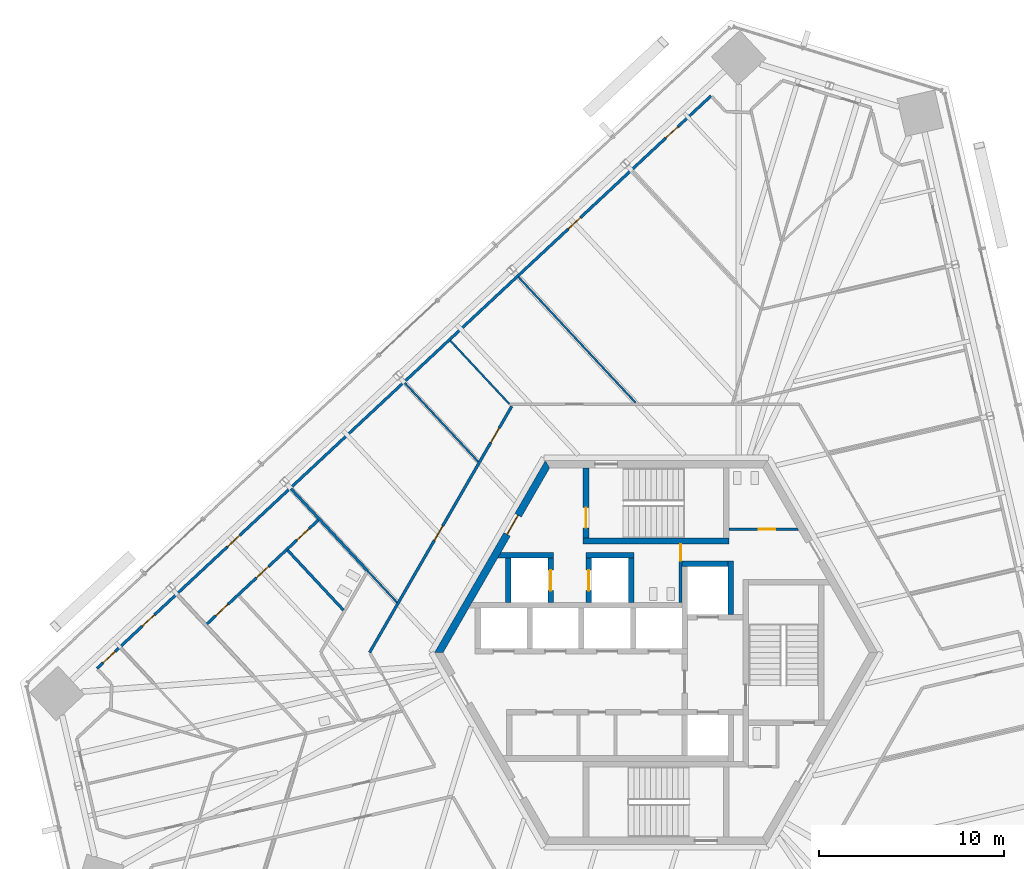
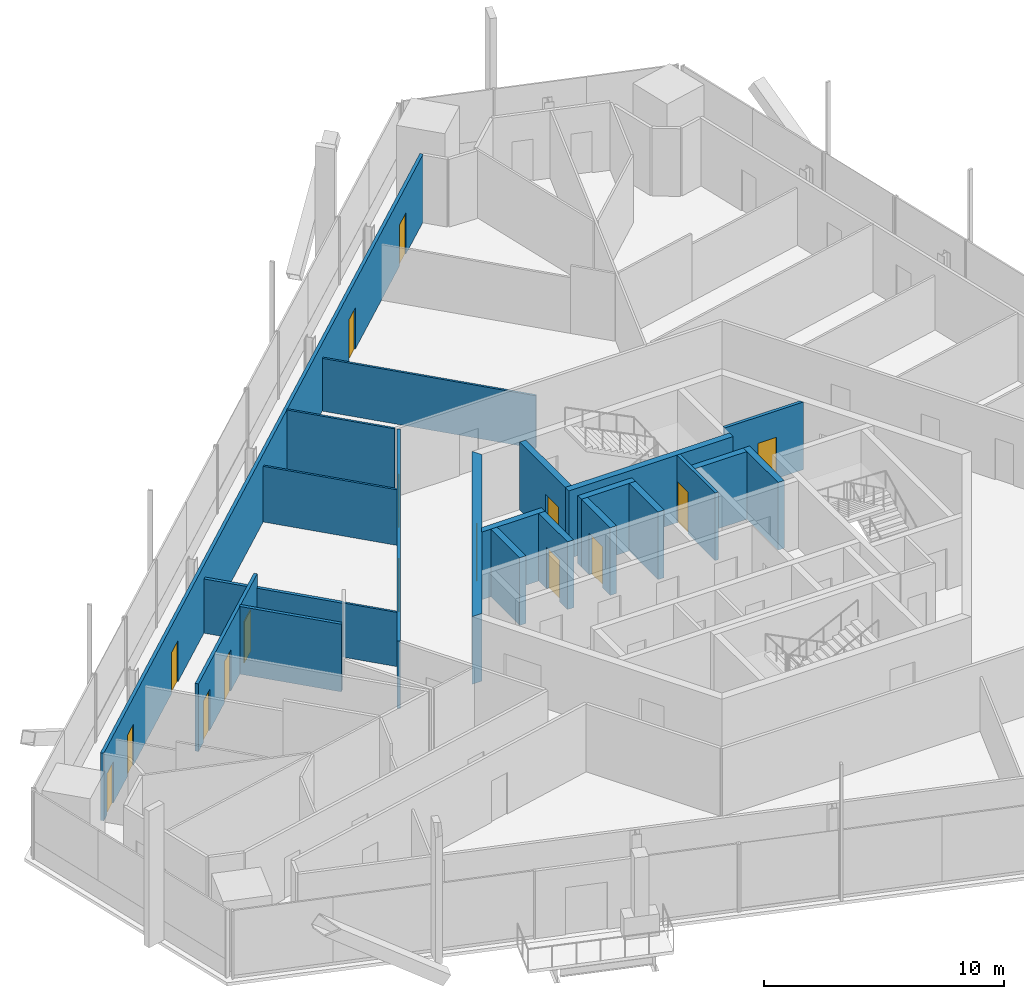
# One storey, part 15 of 24: 22 walls, 16 doors, 16 openings.
"""IFC4 building model written with IfcOpenShell, lengths in metres."""

from ifc_helpers import new_model, si_unit, direction, frame, frame_2d, origin, place, context, subcontext, project, spatial, polyline, rectangle, outline, extrude, source, transform, mapped, material, layer, layer_set, type_object, element, fill, save


model = new_model("IFC4")

# Units and contexts
model_context = context("Model", 3, precision=1e-05, world=origin(), true_north=direction((0.0, 1.0)))
body_context = subcontext(model_context, "Body", "Model", "MODEL_VIEW")
ifc_project = project(units=[si_unit("LENGTHUNIT", "METRE"), si_unit("AREAUNIT", "SQUARE_METRE"), si_unit("VOLUMEUNIT", "CUBIC_METRE"), si_unit("PLANEANGLEUNIT", "RADIAN"), si_unit("MASSUNIT", "GRAM", prefix="KILO")], contexts=[model_context])

# Site, building, storey
site_placement = place(None, origin())
site = spatial("IfcSite", under=ifc_project, at=site_placement, CompositionType="ELEMENT")
building_placement = place(site_placement, origin())
building = spatial("IfcBuilding", under=site, at=building_placement, Name="Triune Harvest Tower", CompositionType="ELEMENT")
storey_placement = place(building_placement, frame((0.0, 0.0, 127.10009765625)))
storey = spatial("IfcBuildingStorey", under=building, at=storey_placement, Name="L32", CompositionType="ELEMENT", Elevation=127.10009765625)

# Walls
ifc_material_1 = material(Name="Gypsum board on steel studs", Category="steel")
ifc_layer_1 = layer(ifc_material_1, 0.14990234375)
ifc_layer_set_1 = layer_set([ifc_layer_1], Name="Gypsum board on steel studs")
wall_type_1 = type_object("IfcWallType", Name="Fire Partition 150 mm", PredefinedType="PARTITIONING", material=ifc_layer_set_1)
wall_1_placement = place(storey_placement, frame((-19.96728515625, 5.546630859375, 0.0), z_axis=(0.0, 0.0, 1.0), x_axis=(0.681991061712, -0.731360507373, 0.0)))
element("IfcWall", 1, at=wall_1_placement, inside=storey, type_object=wall_type_1, Name="Partition L32 016", PredefinedType="PARTITIONING", context=body_context, shape_type="SweptSolid", body=[
    extrude(rectangle(XDim=4.440673828125, YDim=0.14990234375, at=frame_2d((2.22021484375, 0.0))), origin(), (0.0, 0.0, 1.0), 3.43994140625),
])
wall_2_placement = place(storey_placement, frame((-19.7763671875, 8.869384765625, 0.0), z_axis=(0.0, 0.0, 1.0), x_axis=(0.682022287832, -0.731331387882, 0.0)))
element("IfcWall", 2, at=wall_2_placement, inside=storey, type_object=wall_type_1, Name="Partition L32 017", PredefinedType="PARTITIONING", context=body_context, shape_type="SweptSolid", body=[
    extrude(rectangle(XDim=6.0849609375, YDim=0.14990234375, at=frame_2d((3.04248046875, 0.0))), origin(), (0.0, 0.0, 1.0), 2.756591796875),
])

# Wall, openings, doors
wall_3_placement = place(storey_placement, frame((-24.35888671875, 1.51953125, 0.0), z_axis=(0.0, 0.0, 1.0), x_axis=(0.731340569628, 0.682012442127, 0.0)))
wall_3 = element("IfcWall", 3, at=wall_3_placement, inside=storey, type_object=wall_type_1, Name="Partition L32 057", PredefinedType="PARTITIONING", context=body_context, shape_type="SweptSolid", body=[
    extrude(rectangle(XDim=8.3642578125, YDim=0.14990234375, at=frame_2d((4.18212890625, 0.0))), origin(), (0.0, 0.0, 1.0), 3.43994140625),
])
opening_1_placement = place(wall_3_placement, frame((6.70849609375, 0.0, 0.0)))
opening_1 = element("IfcOpeningElement", 4, at=opening_1_placement, cuts=wall_3, Name="Opening L32-018", PredefinedType="OPENING", context=body_context, shape_type="SweptSolid", body=[
    extrude(rectangle(XDim=0.89990234375, YDim=2.10009765625, at=frame_2d((0.449951171875, 1.050048828125))), frame((0.0, 0.0849609375, 0.0), z_axis=(0.0, -1.0, 0.0), x_axis=(1.0, 0.0, 0.0)), (0.0, 0.0, 1.0), 0.169921875),
])
opening_2_placement = place(wall_3_placement, frame((3.69970703125, 0.0, 0.0)))
opening_2 = element("IfcOpeningElement", 5, at=opening_2_placement, cuts=wall_3, Name="Opening L32-019", PredefinedType="OPENING", context=body_context, shape_type="SweptSolid", body=[
    extrude(rectangle(XDim=0.89990234375, YDim=2.10009765625, at=frame_2d((0.449951171875, 1.050048828125))), frame((0.0, 0.0849609375, 0.0), z_axis=(0.0, -1.0, 0.0), x_axis=(1.0, 0.0, 0.0)), (0.0, 0.0, 1.0), 0.169921875),
])
opening_3_placement = place(wall_3_placement, frame((0.699951171875, 0.0, 0.0)))
opening_3 = element("IfcOpeningElement", 6, at=opening_3_placement, cuts=wall_3, Name="Opening L32-020", PredefinedType="OPENING", context=body_context, shape_type="SweptSolid", body=[
    extrude(rectangle(XDim=0.89990234375, YDim=2.10009765625, at=frame_2d((0.449951171875, 1.050048828125))), frame((0.0, 0.0849609375, 0.0), z_axis=(0.0, -1.0, 0.0), x_axis=(1.0, 0.0, 0.0)), (0.0, 0.0, 1.0), 0.169921875),
])
ifc_material_2 = material(Name="Timber and steel door set", Category="steel")
door_type_1 = type_object("IfcDoorType", Name="Single leaf door FD30 left hand 900 x 2100", OperationType="SINGLE_SWING_LEFT", PredefinedType="DOOR", material=ifc_material_2)
door_1_placement = place(opening_1_placement, origin())
door_1 = element("IfcDoor", 7, at=door_1_placement, inside=storey, type_object=door_type_1, Name="Door L32-018 Women's WC 32.18", OperationType="SINGLE_SWING_LEFT", OverallHeight=2.10009765625, OverallWidth=0.89990234375, PredefinedType="DOOR", context=body_context, shape_type="SweptSolid", body=[
    extrude(rectangle(XDim=0.89990234375, YDim=2.10009765625, at=frame_2d((0.449951171875, 1.050048828125))), frame((0.0, 0.02490234375, 0.0), z_axis=(0.0, -1.0, 0.0), x_axis=(1.0, 0.0, 0.0)), (0.0, 0.0, 1.0), 0.050048828125),
])
fill(opening_1, door_1)
ifc_material_3 = material(Name="Timber and steel door set", Category="steel")
door_type_2 = type_object("IfcDoorType", Name="Single leaf door FD30 right hand 900 x 2100", OperationType="SINGLE_SWING_RIGHT", PredefinedType="DOOR", material=ifc_material_3)
door_2_placement = place(opening_2_placement, origin())
door_2 = element("IfcDoor", 8, at=door_2_placement, inside=storey, type_object=door_type_2, Name="Door L32-019 Men's WC 32.19", OperationType="SINGLE_SWING_RIGHT", OverallHeight=2.10009765625, OverallWidth=0.89990234375, PredefinedType="DOOR", context=body_context, shape_type="SweptSolid", body=[
    extrude(rectangle(XDim=0.89990234375, YDim=2.10009765625, at=frame_2d((0.449951171875, 1.050048828125))), frame((0.0, 0.02490234375, 0.0), z_axis=(0.0, -1.0, 0.0), x_axis=(1.0, 0.0, 0.0)), (0.0, 0.0, 1.0), 0.050048828125),
])
fill(opening_2, door_2)
door_3_placement = place(opening_3_placement, origin())
door_3 = element("IfcDoor", 9, at=door_3_placement, inside=storey, type_object=door_type_2, Name="Door L32-020 Accessible WC 32.20", OperationType="SINGLE_SWING_RIGHT", OverallHeight=2.10009765625, OverallWidth=0.89990234375, PredefinedType="DOOR", context=body_context, shape_type="SweptSolid", body=[
    extrude(rectangle(XDim=0.89990234375, YDim=2.10009765625, at=frame_2d((0.449951171875, 1.050048828125))), frame((0.0, 0.02490234375, 0.0), z_axis=(0.0, -1.0, 0.0), x_axis=(1.0, 0.0, 0.0)), (0.0, 0.0, 1.0), 0.050048828125),
])
fill(opening_3, door_3)

wall_4_placement = place(storey_placement, frame((-15.521728515625, 0.0, 0.0), z_axis=(0.0, 0.0, 1.0), x_axis=(0.49998558977, 0.866033723375, 0.0)))
wall_4 = element("IfcWall", 10, at=wall_4_placement, inside=storey, type_object=wall_type_1, Name="Partition L32 063", PredefinedType="PARTITIONING", context=body_context, shape_type="SweptSolid", body=[
    extrude(rectangle(XDim=15.3935546875, YDim=0.14990234375, at=frame_2d((7.69677734375, 0.0))), origin(), (0.0, 0.0, 1.0), 3.43994140625),
])
opening_4_placement = place(wall_4_placement, frame((13.14013671875, 0.0, 0.0)))
opening_4 = element("IfcOpeningElement", 11, at=opening_4_placement, cuts=wall_4, Name="Opening L32-014", PredefinedType="OPENING", context=body_context, shape_type="SweptSolid", body=[
    extrude(rectangle(XDim=0.89990234375, YDim=2.10009765625, at=frame_2d((0.449951171875, 1.050048828125))), frame((0.0, 0.0849609375, 0.0), z_axis=(0.0, -1.0, 0.0), x_axis=(1.0, 0.0, 0.0)), (0.0, 0.0, 1.0), 0.169921875),
])
opening_5_placement = place(wall_4_placement, frame((7.020751953125, 0.0, 0.0)))
opening_5 = element("IfcOpeningElement", 12, at=opening_5_placement, cuts=wall_4, Name="Opening L32-016", PredefinedType="OPENING", context=body_context, shape_type="SweptSolid", body=[
    extrude(rectangle(XDim=0.89990234375, YDim=2.10009765625, at=frame_2d((0.449951171875, 1.050048828125))), frame((0.0, 0.0849609375, 0.0), z_axis=(0.0, -1.0, 0.0), x_axis=(1.0, 0.0, 0.0)), (0.0, 0.0, 1.0), 0.169921875),
])
door_4_placement = place(opening_5_placement, origin())
door_4 = element("IfcDoor", 13, at=door_4_placement, inside=storey, type_object=door_type_1, Name="Door L32-016 Project Room 32.16", OperationType="SINGLE_SWING_LEFT", OverallHeight=2.10009765625, OverallWidth=0.89990234375, PredefinedType="DOOR", context=body_context, shape_type="SweptSolid", body=[
    extrude(rectangle(XDim=0.89990234375, YDim=2.10009765625, at=frame_2d((0.449951171875, 1.050048828125))), frame((0.0, 0.02490234375, 0.0), z_axis=(0.0, -1.0, 0.0), x_axis=(1.0, 0.0, 0.0)), (0.0, 0.0, 1.0), 0.050048828125),
])
fill(opening_5, door_4)
door_5_placement = place(opening_4_placement, origin())
door_5 = element("IfcDoor", 14, at=door_5_placement, inside=storey, type_object=door_type_2, Name="Door L32-014 Office 32.14", OperationType="SINGLE_SWING_RIGHT", OverallHeight=2.10009765625, OverallWidth=0.89990234375, PredefinedType="DOOR", context=body_context, shape_type="SweptSolid", body=[
    extrude(rectangle(XDim=0.89990234375, YDim=2.10009765625, at=frame_2d((0.449951171875, 1.050048828125))), frame((0.0, 0.02490234375, 0.0), z_axis=(0.0, -1.0, 0.0), x_axis=(1.0, 0.0, 0.0)), (0.0, 0.0, 1.0), 0.050048828125),
])
fill(opening_4, door_5)

# Walls
ifc_material_4 = material(Name="Gypsum board on steel studs", Category="steel")
ifc_layer_2 = layer(ifc_material_4, 0.10009765625)
ifc_layer_set_2 = layer_set([ifc_layer_2], Name="Gypsum board on steel studs")
wall_type_2 = type_object("IfcWallType", Name="Partition 100 mm", PredefinedType="PARTITIONING", material=ifc_layer_set_2)
wall_5_placement = place(storey_placement, frame((-15.626220703125, 4.419189453125, 0.0), z_axis=(0.0, 0.0, 1.0), x_axis=(0.682001546145, -0.731350730536, 0.0)))
element("IfcWall", 15, at=wall_5_placement, inside=storey, type_object=wall_type_2, Name="Partition L32 018", PredefinedType="PARTITIONING", context=body_context, shape_type="SweptSolid", body=[
    extrude(rectangle(XDim=2.3349609375, YDim=0.10009765625, at=frame_2d((1.16748046875, 0.0))), origin(), (0.0, 0.0, 1.0), 2.756591796875),
])
wall_6_placement = place(storey_placement, frame((-13.615478515625, 14.600830078125, 0.0), z_axis=(0.0, 0.0, 1.0), x_axis=(0.682000791424, -0.731351434331, 0.0)))
element("IfcWall", 16, at=wall_6_placement, inside=storey, type_object=wall_type_2, Name="Partition L32 019", PredefinedType="PARTITIONING", context=body_context, shape_type="SweptSolid", body=[
    extrude(rectangle(XDim=5.837646484375, YDim=0.10009765625, at=frame_2d((2.9189453125, 0.0))), origin(), (0.0, 0.0, 1.0), 2.82763671875),
])
wall_7_placement = place(storey_placement, frame((-11.154052734375, 16.896240234375, 0.0), z_axis=(0.0, 0.0, 1.0), x_axis=(0.682021987486, -0.731331667977, 0.0)))
element("IfcWall", 17, at=wall_7_placement, inside=storey, type_object=wall_type_2, Name="Partition L32 022", PredefinedType="PARTITIONING", context=body_context, shape_type="SweptSolid", body=[
    extrude(rectangle(XDim=4.69873046875, YDim=0.10009765625, at=frame_2d((2.349365234375, 0.0))), origin(), (0.0, 0.0, 1.0), 3.43994140625),
])
wall_8_placement = place(storey_placement, frame((-7.461669921875, 20.339599609375, 0.0), z_axis=(0.0, 0.0, 1.0), x_axis=(0.68198839115, -0.731362997653, 0.0)))
element("IfcWall", 18, at=wall_8_placement, inside=storey, type_object=wall_type_2, Name="Partition L32 023", PredefinedType="PARTITIONING", context=body_context, shape_type="SweptSolid", body=[
    extrude(rectangle(XDim=9.310791015625, YDim=0.10009765625, at=frame_2d((4.6552734375, 0.0))), origin(), (0.0, 0.0, 1.0), 2.682861328125),
])

# Wall, opening, door
ifc_material_5 = material(Name="Concrete 70 MPa", Category="concrete")
ifc_layer_3 = layer(ifc_material_5, 0.39990234375)
ifc_layer_set_3 = layer_set([ifc_layer_3], Name="Concrete 70 MPa")
wall_type_3 = type_object("IfcWallType", Name="Core wall 400", PredefinedType="SHEAR", material=ifc_layer_set_3)
shared_shape_1 = source(origin(), body_context, "Body", "SweptSolid", [
    extrude(outline(polyline([(-0.115478515625, -0.199951171875), (11.884521484375, -0.199951171875), (11.653564453125, 0.199951171875), (0.115478515625, 0.199951171875), (-0.115478515625, -0.199951171875)])), origin(), (0.0, 0.0, 1.0), 3.43994140625),
])
wall_9_placement = place(storey_placement, frame((-5.884521484375, 10.1923828125, 0.0), z_axis=(0.0, 0.0, 1.0), x_axis=(-0.499996592174, -0.866027371285, 0.0)))
wall_9 = element("IfcWall", 19, at=wall_9_placement, inside=storey, type_object=wall_type_3, Name="Hexagon 2 wall", PredefinedType="SHEAR", context=body_context, shape_type="MappedRepresentation", body=[
    mapped(shared_shape_1, transform((0.0, 0.0, 0.0), scale=1.0)),
])
opening_6_placement = place(wall_9_placement, frame((3.1845703125, 0.0, 0.0)))
opening_6 = element("IfcOpeningElement", 20, at=opening_6_placement, cuts=wall_9, Name="Opening CD-SVP", PredefinedType="OPENING", context=body_context, shape_type="SweptSolid", body=[
    extrude(rectangle(XDim=1.199951171875, YDim=2.10009765625, at=frame_2d((0.60009765625, 1.050048828125))), frame((0.0, 0.2099609375, 0.0), z_axis=(0.0, -1.0, 0.0), x_axis=(1.0, 0.0, 0.0)), (0.0, 0.0, 1.0), 0.419921875),
])
ifc_material_6 = material(Name="Steel S235", Category="steel")
door_type_3 = type_object("IfcDoorType", Name="Service door 1200 FD120", OperationType="SINGLE_SWING_LEFT", PredefinedType="DOOR", material=ifc_material_6)
door_6_placement = place(opening_6_placement, frame((1.199951171875, 0.0, 0.0), z_axis=(0.0, 0.0, 1.0), x_axis=(-1.0, 0.0, 0.0)))
door_6 = element("IfcDoor", 21, at=door_6_placement, inside=storey, type_object=door_type_3, Name="Door CD-SVP", OperationType="SINGLE_SWING_RIGHT", OverallHeight=2.10009765625, OverallWidth=1.199951171875, PredefinedType="DOOR", context=body_context, shape_type="SweptSolid", body=[
    extrude(rectangle(XDim=1.199951171875, YDim=2.10009765625, at=frame_2d((0.60009765625, 1.050048828125))), frame((0.0, 0.02490234375, 0.0), z_axis=(0.0, -1.0, 0.0), x_axis=(1.0, 0.0, 0.0)), (0.0, 0.0, 1.0), 0.050048828125),
])
fill(opening_6, door_6)

# Walls
ifc_material_7 = material(Name="Concrete 70 MPa", Category="concrete")
ifc_layer_4 = layer(ifc_material_7, 0.300048828125)
ifc_layer_set_4 = layer_set([ifc_layer_4], Name="Concrete 70 MPa")
wall_type_4 = type_object("IfcWallType", Name="Core wall 300", PredefinedType="SHEAR", material=ifc_layer_set_4)
shared_shape_2 = source(origin(), body_context, "Body", "SweptSolid", [
    extrude(rectangle(XDim=2.5, YDim=0.300048828125, at=frame_2d((1.25, 0.0))), origin(), (0.0, 0.0, 1.0), 3.43994140625),
])
wall_10_placement = place(storey_placement, frame((1.39990234375, 4.81005859375, 0.0), z_axis=(0.0, 0.0, 1.0), x_axis=(1.0, 0.0, 0.0)))
element("IfcWall", 22, at=wall_10_placement, inside=storey, type_object=wall_type_4, Name="Ff1 back wall", PredefinedType="SHEAR", context=body_context, shape_type="MappedRepresentation", body=[
    mapped(shared_shape_2, transform((0.0, 0.0, 0.0), scale=1.0)),
])
shared_shape_3 = source(origin(), body_context, "Body", "SweptSolid", [
    extrude(rectangle(XDim=2.89990234375, YDim=0.300048828125, at=frame_2d((1.449951171875, 0.0))), origin(), (0.0, 0.0, 1.0), 3.43994140625),
])
wall_11_placement = place(storey_placement, frame((4.050048828125, 2.06005859375, 0.0), z_axis=(0.0, 0.0, 1.0), x_axis=(0.0, 1.0, 0.0)))
element("IfcWall", 23, at=wall_11_placement, inside=storey, type_object=wall_type_4, Name="Ff1 east wall", PredefinedType="SHEAR", context=body_context, shape_type="MappedRepresentation", body=[
    mapped(shared_shape_3, transform((0.0, 0.0, 0.0), scale=1.0)),
])
shared_shape_4 = source(origin(), body_context, "Body", "SweptSolid", [
    extrude(rectangle(XDim=7.89990234375, YDim=0.300048828125, at=frame_2d((3.949951171875, 0.0))), origin(), (0.0, 0.0, 1.0), 3.43994140625),
])
wall_12_placement = place(storey_placement, frame((-3.949951171875, 6.0400390625, 0.0), z_axis=(0.0, 0.0, 1.0), x_axis=(1.0, 0.0, 0.0)))
element("IfcWall", 24, at=wall_12_placement, inside=storey, type_object=wall_type_4, Name="Stair n south wall", PredefinedType="SHEAR", context=body_context, shape_type="MappedRepresentation", body=[
    mapped(shared_shape_4, transform((0.0, 0.0, 0.0), scale=1.0)),
])

# Wall, opening, door
shared_shape_5 = source(origin(), body_context, "Body", "SweptSolid", [
    extrude(outline(polyline([(0.0, -0.14990234375), (0.0, 0.14990234375), (3.80419921875, 0.14990234375), (3.80419921875, -0.14990234375), (0.0, -0.14990234375)])), origin(), (0.0, 0.0, 1.0), 3.43994140625),
])
wall_13_placement = place(storey_placement, frame((-3.800048828125, 6.18994140625, 0.0), z_axis=(0.0, 0.0, 1.0), x_axis=(0.0, 1.0, 0.0)))
wall_13 = element("IfcWall", 25, at=wall_13_placement, inside=storey, type_object=wall_type_4, Name="Stair n west wall", PredefinedType="SHEAR", context=body_context, shape_type="MappedRepresentation", body=[
    mapped(shared_shape_5, transform((0.0, 0.0, 0.0), scale=1.0)),
])
opening_7_placement = place(wall_13_placement, frame((0.56005859375, 0.0, 0.0)))
opening_7 = element("IfcOpeningElement", 26, at=opening_7_placement, cuts=wall_13, Name="Opening CD-S1L", PredefinedType="OPENING", context=body_context, shape_type="SweptSolid", body=[
    extrude(rectangle(XDim=1.10009765625, YDim=2.10009765625, at=frame_2d((0.550048828125, 1.050048828125))), frame((0.0, 0.16015625, 0.0), z_axis=(0.0, -1.0, 0.0), x_axis=(1.0, 0.0, 0.0)), (0.0, 0.0, 1.0), 0.320068359375),
])
ifc_material_8 = material(Name="Steel S235", Category="steel")
door_type_4 = type_object("IfcDoorType", Name="Stair door 1100 FD120", OperationType="SINGLE_SWING_LEFT", PredefinedType="DOOR", material=ifc_material_8)
door_7_placement = place(opening_7_placement, frame((1.10009765625, 0.0, 0.0), z_axis=(0.0, 0.0, 1.0), x_axis=(-1.0, 0.0, 0.0)))
door_7 = element("IfcDoor", 27, at=door_7_placement, inside=storey, type_object=door_type_4, Name="Door CD-S1L", OperationType="SINGLE_SWING_RIGHT", OverallHeight=2.10009765625, OverallWidth=1.10009765625, PredefinedType="DOOR", context=body_context, shape_type="SweptSolid", body=[
    extrude(rectangle(XDim=1.10009765625, YDim=2.10009765625, at=frame_2d((0.550048828125, 1.050048828125))), frame((0.0, 0.02490234375, 0.0), z_axis=(0.0, -1.0, 0.0), x_axis=(1.0, 0.0, 0.0)), (0.0, 0.0, 1.0), 0.050048828125),
])
fill(opening_7, door_7)

# Walls
shared_shape_6 = source(origin(), body_context, "Body", "SweptSolid", [
    extrude(outline(polyline([(2.60009765625, -0.14990234375), (-0.440185546875, -0.14990234375), (-0.26708984375, 0.14990234375), (2.60009765625, 0.14990234375), (2.60009765625, -0.14990234375)])), origin(), (0.0, 0.0, 1.0), 3.43994140625),
])
wall_14_placement = place(storey_placement, frame((-8.14990234375, 5.260009765625, 0.0), z_axis=(0.0, 0.0, 1.0), x_axis=(1.0, 0.0, 0.0)))
element("IfcWall", 28, at=wall_14_placement, inside=storey, type_object=wall_type_4, Name="Sv1 north wall", PredefinedType="SHEAR", context=body_context, shape_type="MappedRepresentation", body=[
    mapped(shared_shape_6, transform((0.0, 0.0, 0.0), scale=1.0)),
])
shared_shape_7 = source(origin(), body_context, "Body", "SweptSolid", [
    extrude(rectangle(XDim=2.400146484375, YDim=0.300048828125, at=frame_2d((1.2001953125, 0.0))), origin(), (0.0, 0.0, 1.0), 3.43994140625),
])
wall_15_placement = place(storey_placement, frame((-8.0, 2.7099609375, 0.0), z_axis=(0.0, 0.0, 1.0), x_axis=(0.0, 1.0, 0.0)))
element("IfcWall", 29, at=wall_15_placement, inside=storey, type_object=wall_type_4, Name="Sv1 west wall", PredefinedType="SHEAR", context=body_context, shape_type="MappedRepresentation", body=[
    mapped(shared_shape_7, transform((0.0, 0.0, 0.0), scale=1.0)),
])

# Wall, opening, door
wall_16_placement = place(storey_placement, frame((-5.699951171875, 2.7099609375, 0.0), z_axis=(0.0, 0.0, 1.0), x_axis=(0.0, 1.0, 0.0)))
wall_16 = element("IfcWall", 30, at=wall_16_placement, inside=storey, type_object=wall_type_4, Name="Sv1 east wall", PredefinedType="SHEAR", context=body_context, shape_type="MappedRepresentation", body=[
    mapped(shared_shape_7, transform((0.0, 0.0, 0.0), scale=1.0)),
])
opening_8_placement = place(wall_16_placement, frame((0.64990234375, 0.0, 0.0)))
opening_8 = element("IfcOpeningElement", 31, at=opening_8_placement, cuts=wall_16, Name="Opening LD-SV1-32", PredefinedType="OPENING", context=body_context, shape_type="SweptSolid", body=[
    extrude(rectangle(XDim=1.10009765625, YDim=2.10009765625, at=frame_2d((0.550048828125, 1.050048828125))), frame((0.0, 0.16015625, 0.0), z_axis=(0.0, -1.0, 0.0), x_axis=(1.0, 0.0, 0.0)), (0.0, 0.0, 1.0), 0.320068359375),
])
ifc_material_9 = material(Name="Stainless steel AISI 304", Category="steel")
door_type_5 = type_object("IfcDoorType", Name="Landing door 1100 x 2100", OperationType="DOUBLE_DOOR_SLIDING", PredefinedType="DOOR", material=ifc_material_9)
door_8_placement = place(opening_8_placement, origin())
door_8 = element("IfcDoor", 32, at=door_8_placement, inside=storey, type_object=door_type_5, Name="Door LD-SV1-32", OperationType="DOUBLE_DOOR_SLIDING", OverallHeight=2.10009765625, OverallWidth=1.10009765625, PredefinedType="DOOR", context=body_context, shape_type="SweptSolid", body=[
    extrude(rectangle(XDim=1.10009765625, YDim=2.10009765625, at=frame_2d((0.550048828125, 1.050048828125))), frame((0.0, 0.02490234375, 0.0), z_axis=(0.0, -1.0, 0.0), x_axis=(1.0, 0.0, 0.0)), (0.0, 0.0, 1.0), 0.050048828125),
])
fill(opening_8, door_8)

wall_17_placement = place(storey_placement, frame((-3.64990234375, 2.7099609375, 0.0), z_axis=(0.0, 0.0, 1.0), x_axis=(0.0, 1.0, 0.0)))
wall_17 = element("IfcWall", 33, at=wall_17_placement, inside=storey, type_object=wall_type_4, Name="Sv2 west wall", PredefinedType="SHEAR", context=body_context, shape_type="MappedRepresentation", body=[
    mapped(shared_shape_7, transform((0.0, 0.0, 0.0), scale=1.0)),
])
opening_9_placement = place(wall_17_placement, frame((0.64990234375, 0.0, 0.0)))
opening_9 = element("IfcOpeningElement", 34, at=opening_9_placement, cuts=wall_17, Name="Opening LD-SV2-32", PredefinedType="OPENING", context=body_context, shape_type="SweptSolid", body=[
    extrude(rectangle(XDim=1.10009765625, YDim=2.10009765625, at=frame_2d((0.550048828125, 1.050048828125))), frame((0.0, 0.16015625, 0.0), z_axis=(0.0, -1.0, 0.0), x_axis=(1.0, 0.0, 0.0)), (0.0, 0.0, 1.0), 0.320068359375),
])
door_9_placement = place(opening_9_placement, origin())
door_9 = element("IfcDoor", 35, at=door_9_placement, inside=storey, type_object=door_type_5, Name="Door LD-SV2-32", OperationType="DOUBLE_DOOR_SLIDING", OverallHeight=2.10009765625, OverallWidth=1.10009765625, PredefinedType="DOOR", context=body_context, shape_type="SweptSolid", body=[
    extrude(rectangle(XDim=1.10009765625, YDim=2.10009765625, at=frame_2d((0.550048828125, 1.050048828125))), frame((0.0, 0.02490234375, 0.0), z_axis=(0.0, -1.0, 0.0), x_axis=(1.0, 0.0, 0.0)), (0.0, 0.0, 1.0), 0.050048828125),
])
fill(opening_9, door_9)

# Walls
wall_18_placement = place(storey_placement, frame((-1.35009765625, 2.7099609375, 0.0), z_axis=(0.0, 0.0, 1.0), x_axis=(0.0, 1.0, 0.0)))
element("IfcWall", 36, at=wall_18_placement, inside=storey, type_object=wall_type_4, Name="Sv2 east wall", PredefinedType="SHEAR", context=body_context, shape_type="MappedRepresentation", body=[
    mapped(shared_shape_7, transform((0.0, 0.0, 0.0), scale=1.0)),
])
shared_shape_8 = source(origin(), body_context, "Body", "SweptSolid", [
    extrude(rectangle(XDim=2.60009765625, YDim=0.300048828125, at=frame_2d((1.300048828125, 0.0))), origin(), (0.0, 0.0, 1.0), 3.43994140625),
])
wall_19_placement = place(storey_placement, frame((-3.800048828125, 5.260009765625, 0.0), z_axis=(0.0, 0.0, 1.0), x_axis=(1.0, 0.0, 0.0)))
element("IfcWall", 37, at=wall_19_placement, inside=storey, type_object=wall_type_4, Name="Sv2 north wall", PredefinedType="SHEAR", context=body_context, shape_type="MappedRepresentation", body=[
    mapped(shared_shape_8, transform((0.0, 0.0, 0.0), scale=1.0)),
])

# Wall, opening, door
ifc_material_10 = material(Name="Concrete masonry unit", Category="masonry")
ifc_layer_5 = layer(ifc_material_10, 0.14990234375)
ifc_layer_set_5 = layer_set([ifc_layer_5], Name="Concrete masonry unit")
wall_type_5 = type_object("IfcWallType", Name="Block partition 150 unrated", PredefinedType="PARTITIONING", material=ifc_layer_set_5)
shared_shape_9 = source(origin(), body_context, "Body", "SweptSolid", [
    extrude(rectangle(XDim=3.179931640625, YDim=0.14990234375, at=frame_2d((1.58984375, 0.0))), origin(), (0.0, 0.0, 1.0), 3.43994140625),
])
wall_20_placement = place(storey_placement, frame((1.324951171875, 2.7099609375, 0.0), z_axis=(0.0, 0.0, 1.0), x_axis=(0.0, 1.0, 0.0)))
wall_20 = element("IfcWall", 38, at=wall_20_placement, inside=storey, type_object=wall_type_5, Name="Wc men east wall", PredefinedType="PARTITIONING", context=body_context, shape_type="MappedRepresentation", body=[
    mapped(shared_shape_9, transform((0.0, 0.0, 0.0), scale=1.0)),
])
opening_10_placement = place(wall_20_placement, frame((2.264892578125, 0.0, 0.0)))
opening_10 = element("IfcOpeningElement", 39, at=opening_10_placement, cuts=wall_20, Name="Opening CD-WM", PredefinedType="OPENING", context=body_context, shape_type="SweptSolid", body=[
    extrude(rectangle(XDim=0.89990234375, YDim=2.10009765625, at=frame_2d((0.449951171875, 1.050048828125))), frame((0.0, 0.0849609375, 0.0), z_axis=(0.0, -1.0, 0.0), x_axis=(1.0, 0.0, 0.0)), (0.0, 0.0, 1.0), 0.169921875),
])
ifc_material_11 = material(Name="Timber C24", Category="wood")
door_type_6 = type_object("IfcDoorType", Name="WC door 900", OperationType="SINGLE_SWING_LEFT", PredefinedType="DOOR", material=ifc_material_11)
door_10_placement = place(opening_10_placement, origin())
door_10 = element("IfcDoor", 40, at=door_10_placement, inside=storey, type_object=door_type_6, Name="Door CD-WM", OperationType="SINGLE_SWING_LEFT", OverallHeight=2.10009765625, OverallWidth=0.89990234375, PredefinedType="DOOR", context=body_context, shape_type="SweptSolid", body=[
    extrude(rectangle(XDim=0.89990234375, YDim=2.10009765625, at=frame_2d((0.449951171875, 1.050048828125))), frame((0.0, 0.02490234375, 0.0), z_axis=(0.0, -1.0, 0.0), x_axis=(1.0, 0.0, 0.0)), (0.0, 0.0, 1.0), 0.050048828125),
])
fill(opening_10, door_10)

shared_shape_10 = source(origin(), body_context, "Body", "SweptSolid", [
    extrude(outline(polyline([(0.0, -0.074951171875), (0.0, 0.074951171875), (3.693359375, 0.074951171875), (3.77978515625, -0.074951171875), (0.0, -0.074951171875)])), origin(), (0.0, 0.0, 1.0), 3.43994140625),
])
wall_21_placement = place(storey_placement, frame((3.949951171875, 6.675048828125, 0.0), z_axis=(0.0, 0.0, 1.0), x_axis=(1.0, 0.0, 0.0)))
wall_21 = element("IfcWall", 41, at=wall_21_placement, inside=storey, type_object=wall_type_5, Name="Wc women south wall", PredefinedType="PARTITIONING", context=body_context, shape_type="MappedRepresentation", body=[
    mapped(shared_shape_10, transform((0.0, 0.0, 0.0), scale=1.0)),
])
opening_11_placement = place(wall_21_placement, frame((1.60009765625, 0.0, 0.0)))
opening_11 = element("IfcOpeningElement", 42, at=opening_11_placement, cuts=wall_21, Name="Opening CD-WW", PredefinedType="OPENING", context=body_context, shape_type="SweptSolid", body=[
    extrude(rectangle(XDim=0.89990234375, YDim=2.10009765625, at=frame_2d((0.449951171875, 1.050048828125))), frame((0.0, 0.0849609375, 0.0), z_axis=(0.0, -1.0, 0.0), x_axis=(1.0, 0.0, 0.0)), (0.0, 0.0, 1.0), 0.169921875),
])
door_11_placement = place(opening_11_placement, origin())
door_11 = element("IfcDoor", 43, at=door_11_placement, inside=storey, type_object=door_type_6, Name="Door CD-WW", OperationType="SINGLE_SWING_LEFT", OverallHeight=2.10009765625, OverallWidth=0.89990234375, PredefinedType="DOOR", context=body_context, shape_type="SweptSolid", body=[
    extrude(rectangle(XDim=0.89990234375, YDim=2.10009765625, at=frame_2d((0.449951171875, 1.050048828125))), frame((0.0, 0.02490234375, 0.0), z_axis=(0.0, -1.0, 0.0), x_axis=(1.0, 0.0, 0.0)), (0.0, 0.0, 1.0), 0.050048828125),
])
fill(opening_11, door_11)

# Wall, openings, doors
shared_shape_11 = source(origin(), body_context, "Body", "SweptSolid", [
    extrude(rectangle(XDim=45.477294921875, YDim=0.14990234375, at=frame_2d((22.73876953125, 0.0))), origin(), (0.0, 0.0, 1.0), 3.43994140625),
])
wall_22_placement = place(storey_placement, frame((-30.28662109375, -0.863037109375, 0.0), z_axis=(0.0, 0.0, 1.0), x_axis=(0.73135457917, 0.681997419004, 0.0)))
wall_22 = element("IfcWall", 44, at=wall_22_placement, inside=storey, type_object=wall_type_1, Name="Partition L32 060", PredefinedType="PARTITIONING", context=body_context, shape_type="MappedRepresentation", body=[
    mapped(shared_shape_11, transform((0.0, 0.0, 0.0), scale=1.0)),
])
opening_12_placement = place(wall_22_placement, frame((42.11767578125, 0.0, 0.0)))
opening_12 = element("IfcOpeningElement", 45, at=opening_12_placement, cuts=wall_22, Name="Opening L32-012", PredefinedType="OPENING", context=body_context, shape_type="SweptSolid", body=[
    extrude(rectangle(XDim=0.89990234375, YDim=2.10009765625, at=frame_2d((0.449951171875, 1.050048828125))), frame((0.0, 0.0849609375, 0.0), z_axis=(0.0, -1.0, 0.0), x_axis=(1.0, 0.0, 0.0)), (0.0, 0.0, 1.0), 0.169921875),
])
opening_13_placement = place(wall_22_placement, frame((34.9033203125, 0.0, 0.0)))
opening_13 = element("IfcOpeningElement", 46, at=opening_13_placement, cuts=wall_22, Name="Opening L32-013", PredefinedType="OPENING", context=body_context, shape_type="SweptSolid", body=[
    extrude(rectangle(XDim=0.89990234375, YDim=2.10009765625, at=frame_2d((0.449951171875, 1.050048828125))), frame((0.0, 0.0849609375, 0.0), z_axis=(0.0, -1.0, 0.0), x_axis=(1.0, 0.0, 0.0)), (0.0, 0.0, 1.0), 0.169921875),
])
opening_14_placement = place(wall_22_placement, frame((9.659912109375, 0.0, 0.0)))
opening_14 = element("IfcOpeningElement", 47, at=opening_14_placement, cuts=wall_22, Name="Opening L32-017", PredefinedType="OPENING", context=body_context, shape_type="SweptSolid", body=[
    extrude(rectangle(XDim=0.89990234375, YDim=2.10009765625, at=frame_2d((0.449951171875, 1.050048828125))), frame((0.0, 0.0849609375, 0.0), z_axis=(0.0, -1.0, 0.0), x_axis=(1.0, 0.0, 0.0)), (0.0, 0.0, 1.0), 0.169921875),
])
opening_15_placement = place(wall_22_placement, frame((0.4501953125, 0.0, 0.0)))
opening_15 = element("IfcOpeningElement", 48, at=opening_15_placement, cuts=wall_22, Name="Opening L32-022", PredefinedType="OPENING", context=body_context, shape_type="SweptSolid", body=[
    extrude(rectangle(XDim=0.89990234375, YDim=2.10009765625, at=frame_2d((0.449951171875, 1.050048828125))), frame((0.0, 0.0849609375, 0.0), z_axis=(0.0, -1.0, 0.0), x_axis=(1.0, 0.0, 0.0)), (0.0, 0.0, 1.0), 0.169921875),
])
opening_16_placement = place(wall_22_placement, frame((3.3525390625, 0.0, 0.0)))
opening_16 = element("IfcOpeningElement", 49, at=opening_16_placement, cuts=wall_22, Name="Opening L32-023", PredefinedType="OPENING", context=body_context, shape_type="SweptSolid", body=[
    extrude(rectangle(XDim=0.89990234375, YDim=2.10009765625, at=frame_2d((0.449951171875, 1.050048828125))), frame((0.0, 0.0849609375, 0.0), z_axis=(0.0, -1.0, 0.0), x_axis=(1.0, 0.0, 0.0)), (0.0, 0.0, 1.0), 0.169921875),
])
door_12_placement = place(opening_12_placement, origin())
door_12 = element("IfcDoor", 50, at=door_12_placement, inside=storey, type_object=door_type_1, Name="Door L32-012 Project Room 32.12", OperationType="SINGLE_SWING_LEFT", OverallHeight=2.10009765625, OverallWidth=0.89990234375, PredefinedType="DOOR", context=body_context, shape_type="SweptSolid", body=[
    extrude(rectangle(XDim=0.89990234375, YDim=2.10009765625, at=frame_2d((0.449951171875, 1.050048828125))), frame((0.0, 0.02490234375, 0.0), z_axis=(0.0, -1.0, 0.0), x_axis=(1.0, 0.0, 0.0)), (0.0, 0.0, 1.0), 0.050048828125),
])
fill(opening_12, door_12)
door_13_placement = place(opening_13_placement, origin())
door_13 = element("IfcDoor", 51, at=door_13_placement, inside=storey, type_object=door_type_1, Name="Door L32-013 Open Office 32.13", OperationType="SINGLE_SWING_LEFT", OverallHeight=2.10009765625, OverallWidth=0.89990234375, PredefinedType="DOOR", context=body_context, shape_type="SweptSolid", body=[
    extrude(rectangle(XDim=0.89990234375, YDim=2.10009765625, at=frame_2d((0.449951171875, 1.050048828125))), frame((0.0, 0.02490234375, 0.0), z_axis=(0.0, -1.0, 0.0), x_axis=(1.0, 0.0, 0.0)), (0.0, 0.0, 1.0), 0.050048828125),
])
fill(opening_13, door_13)
door_14_placement = place(opening_14_placement, origin())
door_14 = element("IfcDoor", 52, at=door_14_placement, inside=storey, type_object=door_type_2, Name="Door L32-017 WC lobby 32.17", OperationType="SINGLE_SWING_RIGHT", OverallHeight=2.10009765625, OverallWidth=0.89990234375, PredefinedType="DOOR", context=body_context, shape_type="SweptSolid", body=[
    extrude(rectangle(XDim=0.89990234375, YDim=2.10009765625, at=frame_2d((0.449951171875, 1.050048828125))), frame((0.0, 0.02490234375, 0.0), z_axis=(0.0, -1.0, 0.0), x_axis=(1.0, 0.0, 0.0)), (0.0, 0.0, 1.0), 0.050048828125),
])
fill(opening_14, door_14)
door_15_placement = place(opening_15_placement, origin())
door_15 = element("IfcDoor", 53, at=door_15_placement, inside=storey, type_object=door_type_2, Name="Door L32-022 Office 32.22", OperationType="SINGLE_SWING_RIGHT", OverallHeight=2.10009765625, OverallWidth=0.89990234375, PredefinedType="DOOR", context=body_context, shape_type="SweptSolid", body=[
    extrude(rectangle(XDim=0.89990234375, YDim=2.10009765625, at=frame_2d((0.449951171875, 1.050048828125))), frame((0.0, 0.02490234375, 0.0), z_axis=(0.0, -1.0, 0.0), x_axis=(1.0, 0.0, 0.0)), (0.0, 0.0, 1.0), 0.050048828125),
])
fill(opening_15, door_15)
door_16_placement = place(opening_16_placement, origin())
door_16 = element("IfcDoor", 54, at=door_16_placement, inside=storey, type_object=door_type_2, Name="Door L32-023 Office 32.23", OperationType="SINGLE_SWING_RIGHT", OverallHeight=2.10009765625, OverallWidth=0.89990234375, PredefinedType="DOOR", context=body_context, shape_type="SweptSolid", body=[
    extrude(rectangle(XDim=0.89990234375, YDim=2.10009765625, at=frame_2d((0.449951171875, 1.050048828125))), frame((0.0, 0.02490234375, 0.0), z_axis=(0.0, -1.0, 0.0), x_axis=(1.0, 0.0, 0.0)), (0.0, 0.0, 1.0), 0.050048828125),
])
fill(opening_16, door_16)

save(model, "model.ifc")
